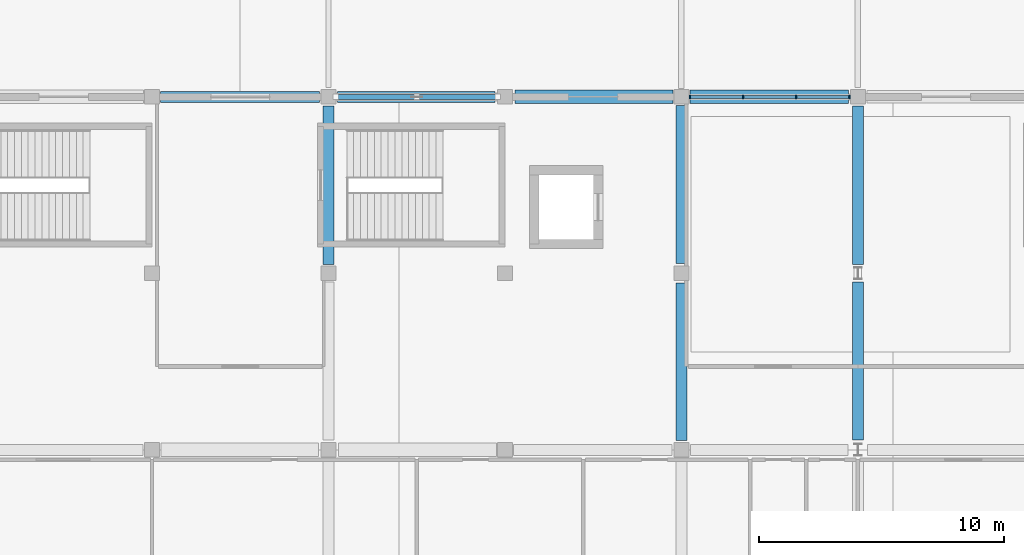
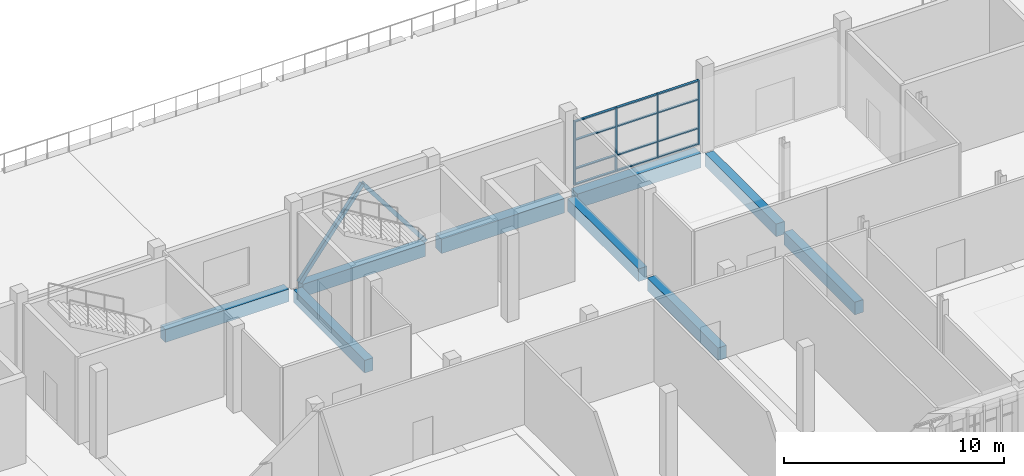
# One storey, part 28 of 82: 18 members, 9 beams, 1 element without a shape of its own.
"""IFC4 building model written with IfcOpenShell, lengths in metres."""

from ifc_helpers import new_model, si_unit, direction, frame, origin, origin_2d, place, context, subcontext, project, spatial, rectangle, hollow_rectangle, extrude, material, material_profile, profile_set, type_object, element, aggregate, save


model = new_model("IFC4")

# Units and contexts
model_context = context("Model", 3, precision=1e-05, world=origin(), true_north=direction((0.0, 1.0)))
body_context = subcontext(model_context, "Body", "Model", "MODEL_VIEW")
ifc_project = project(units=[si_unit("LENGTHUNIT", "METRE"), si_unit("AREAUNIT", "SQUARE_METRE"), si_unit("VOLUMEUNIT", "CUBIC_METRE"), si_unit("PLANEANGLEUNIT", "RADIAN"), si_unit("MASSUNIT", "GRAM", prefix="KILO")], contexts=[model_context])

# Site, building, storey
site_placement = place(None, origin())
site = spatial("IfcSite", under=ifc_project, at=site_placement, CompositionType="ELEMENT")
building_placement = place(site_placement, origin())
building = spatial("IfcBuilding", under=site, at=building_placement, Name="Sardonyx Promenade Sports Hall", CompositionType="ELEMENT")
storey_placement = place(building_placement, frame((0.0, 0.0, 11.199951171875)))
storey = spatial("IfcBuildingStorey", under=building, at=storey_placement, Name="L02", CompositionType="ELEMENT", Elevation=11.199951171875)

# Beams
ifc_material_1 = material(Name="Concrete C40/50", Category="concrete")
ifc_material_profile_1 = material_profile(ifc_material_1, rectangle(XDim=0.550048828125, YDim=0.800048828125, at=origin_2d()))
ifc_profile_set_1 = profile_set([ifc_material_profile_1], Name="Concrete C40/50")
beam_type_1 = type_object("IfcBeamType", Name="Bm_Girder_RC800", PredefinedType="BEAM", material=ifc_profile_set_1)
beam_1_placement = place(storey_placement, frame((79.60009765625, 28.800048828125, -0.39990234375), z_axis=(1.0, 0.0, 0.0), x_axis=(0.0, 1.0, 0.0)))
element("IfcBeam", 1, at=beam_1_placement, inside=storey, type_object=beam_type_1, Name="Beam BG04 L02 #504", PredefinedType="BEAM", context=body_context, shape_type="SweptSolid", body=[
    extrude(rectangle(XDim=0.550048828125, YDim=0.800048828125, at=origin_2d()), origin(), (0.0, 0.0, 1.0), 6.449951171875),
])
beam_2_placement = place(storey_placement, frame((86.75, 28.800048828125, -0.39990234375), z_axis=(1.0, 0.0, 0.0), x_axis=(0.0, 1.0, 0.0)))
element("IfcBeam", 2, at=beam_2_placement, inside=storey, type_object=beam_type_1, Name="Beam BG04 L02 #505", PredefinedType="BEAM", context=body_context, shape_type="SweptSolid", body=[
    extrude(rectangle(XDim=0.550048828125, YDim=0.800048828125, at=origin_2d()), origin(), (0.0, 0.0, 1.0), 6.47509765625),
])
ifc_material_2 = material(Name="Concrete C40/50", Category="concrete")
ifc_material_profile_2 = material_profile(ifc_material_2, rectangle(XDim=0.449951171875, YDim=0.699951171875, at=origin_2d()))
ifc_profile_set_2 = profile_set([ifc_material_profile_2], Name="Concrete C40/50")
beam_type_2 = type_object("IfcBeamType", Name="Bm_Primary_RC700", PredefinedType="BEAM", material=ifc_profile_set_2)
beam_3_placement = place(storey_placement, frame((65.14990234375, 28.800048828125, -0.349853515625), z_axis=(1.0, 0.0, 0.0), x_axis=(0.0, 1.0, 0.0)))
element("IfcBeam", 3, at=beam_3_placement, inside=storey, type_object=beam_type_2, Name="Beam BG01 L02 #502", PredefinedType="BEAM", context=body_context, shape_type="SweptSolid", body=[
    extrude(rectangle(XDim=0.449951171875, YDim=0.699951171875, at=origin_2d()), origin(), (0.0, 0.0, 1.0), 6.47509765625),
])
beam_4_placement = place(storey_placement, frame((72.375, 28.800048828125, -0.349853515625), z_axis=(1.0, 0.0, 0.0), x_axis=(0.0, 1.0, 0.0)))
element("IfcBeam", 4, at=beam_4_placement, inside=storey, type_object=beam_type_2, Name="Beam BG01 L02 #503", PredefinedType="BEAM", context=body_context, shape_type="SweptSolid", body=[
    extrude(rectangle(XDim=0.449951171875, YDim=0.699951171875, at=origin_2d()), origin(), (0.0, 0.0, 1.0), 6.425048828125),
])
beam_5_placement = place(storey_placement, frame((72.0, 21.949951171875, -0.349853515625), z_axis=(0.0, 1.0, 0.0), x_axis=(-1.0, 0.0, 0.0)))
element("IfcBeam", 5, at=beam_5_placement, inside=storey, type_object=beam_type_2, Name="Beam BG01 L02 #614", PredefinedType="BEAM", context=body_context, shape_type="SweptSolid", body=[
    extrude(rectangle(XDim=0.449951171875, YDim=0.699951171875, at=origin_2d()), origin(), (0.0, 0.0, 1.0), 6.47509765625),
])
beam_6_placement = place(storey_placement, frame((86.39990234375, 14.77490234375, -0.349853515625), z_axis=(0.0, 1.0, 0.0), x_axis=(-1.0, 0.0, 0.0)))
element("IfcBeam", 6, at=beam_6_placement, inside=storey, type_object=beam_type_2, Name="Beam BG01 L02 #621", PredefinedType="BEAM", context=body_context, shape_type="SweptSolid", body=[
    extrude(rectangle(XDim=0.449951171875, YDim=0.699951171875, at=origin_2d()), origin(), (0.0, 0.0, 1.0), 6.425048828125),
])
for number, where, z_axis, x_axis, name in (
    (7, (86.39990234375, 22.0, -0.349853515625), (0.0, 1.0, 0.0), (-1.0, 0.0, 0.0), "Beam BG01 L02 #622"),
    (8, (93.60009765625, 14.800048828125, -0.349853515625), (0.0, 1.0, 0.0), (-1.0, 0.0, 0.0), "Beam BG01 L02 #628"),
):
    element("IfcBeam", number, at=place(storey_placement, frame(where, z_axis=z_axis, x_axis=x_axis)), inside=storey, type_object=beam_type_2, Name=name, PredefinedType="BEAM", context=body_context, shape_type="SweptSolid", body=[
        extrude(rectangle(XDim=0.449951171875, YDim=0.699951171875, at=origin_2d()), origin(), (0.0, 0.0, 1.0), 6.449951171875),
    ])
beam_7_placement = place(storey_placement, frame((93.60009765625, 21.949951171875, -0.349853515625), z_axis=(0.0, 1.0, 0.0), x_axis=(-1.0, 0.0, 0.0)))
element("IfcBeam", 9, at=beam_7_placement, inside=storey, type_object=beam_type_2, Name="Beam BG01 L02 #629", PredefinedType="BEAM", context=body_context, shape_type="SweptSolid", body=[
    extrude(rectangle(XDim=0.449951171875, YDim=0.699951171875, at=origin_2d()), origin(), (0.0, 0.0, 1.0), 6.47509765625),
])

# Curtain wall, members
ifc_material_3 = material(Name="Aluminium 6063-T6", Category="aluminium")
curtain_wall_type = type_object("IfcCurtainWallType", Name="CW_EastWing_L02", PredefinedType="USERDEFINED", material=ifc_material_3)
curtain_wall_placement = place(storey_placement, origin())
curtain_wall = element("IfcCurtainWall", 10, at=curtain_wall_placement, inside=storey, type_object=curtain_wall_type, Name="Curtain wall CW09 cw:L02:159", ObjectType="CURTAIN WALL", PredefinedType="USERDEFINED")
ifc_material_4 = material(Name="Aluminium 6063-T6", Category="aluminium")
ifc_material_profile_3 = material_profile(ifc_material_4, rectangle(XDim=0.06005859375, YDim=0.14990234375, at=origin_2d()))
ifc_profile_set_3 = profile_set([ifc_material_profile_3], Name="Aluminium 6063-T6")
member_type_1 = type_object("IfcMemberType", Name="CW_Mull_150", PredefinedType="MULLION", material=ifc_profile_set_3)
member_1_placement = place(storey_placement, frame((86.75, 28.800048828125, 0.35009765625), z_axis=(0.0, 0.0, 1.0), x_axis=(1.0, 0.0, 0.0)))
member_1 = element("IfcMember", 11, at=member_1_placement, type_object=member_type_1, Name="Mullion CM01 cw:L02:159 #1", PredefinedType="MULLION", context=body_context, shape_type="SweptSolid", body=[
    extrude(rectangle(XDim=0.06005859375, YDim=0.14990234375, at=origin_2d()), origin(), (0.0, 0.0, 1.0), 3.550048828125),
])
member_2_placement = place(storey_placement, frame((88.916748046875, 28.800048828125, 0.35009765625), z_axis=(0.0, 0.0, 1.0), x_axis=(1.0, 0.0, 0.0)))
member_2 = element("IfcMember", 12, at=member_2_placement, type_object=member_type_1, Name="Mullion CM01 cw:L02:159 #2", PredefinedType="MULLION", context=body_context, shape_type="SweptSolid", body=[
    extrude(rectangle(XDim=0.06005859375, YDim=0.14990234375, at=origin_2d()), origin(), (0.0, 0.0, 1.0), 3.550048828125),
])
member_3_placement = place(storey_placement, frame((91.083251953125, 28.800048828125, 0.35009765625), z_axis=(0.0, 0.0, 1.0), x_axis=(1.0, 0.0, 0.0)))
member_3 = element("IfcMember", 13, at=member_3_placement, type_object=member_type_1, Name="Mullion CM01 cw:L02:159 #3", PredefinedType="MULLION", context=body_context, shape_type="SweptSolid", body=[
    extrude(rectangle(XDim=0.06005859375, YDim=0.14990234375, at=origin_2d()), origin(), (0.0, 0.0, 1.0), 3.550048828125),
])
member_4_placement = place(storey_placement, frame((93.25, 28.800048828125, 0.35009765625), z_axis=(0.0, 0.0, 1.0), x_axis=(1.0, 0.0, 0.0)))
member_4 = element("IfcMember", 14, at=member_4_placement, type_object=member_type_1, Name="Mullion CM01 cw:L02:159 #4", PredefinedType="MULLION", context=body_context, shape_type="SweptSolid", body=[
    extrude(rectangle(XDim=0.06005859375, YDim=0.14990234375, at=origin_2d()), origin(), (0.0, 0.0, 1.0), 3.550048828125),
])
ifc_material_5 = material(Name="Aluminium 6063-T6", Category="aluminium")
ifc_material_profile_4 = material_profile(ifc_material_5, rectangle(XDim=0.06005859375, YDim=0.1201171875, at=origin_2d()))
ifc_profile_set_4 = profile_set([ifc_material_profile_4], Name="Aluminium 6063-T6")
member_type_2 = type_object("IfcMemberType", Name="CW_Tran_120", PredefinedType="USERDEFINED", material=ifc_profile_set_4)
member_5_placement = place(storey_placement, frame((86.780029296875, 28.800048828125, 0.380126953125), z_axis=(1.0, 0.0, 0.0), x_axis=(0.0, 0.0, 1.0)))
member_5 = element("IfcMember", 15, at=member_5_placement, type_object=member_type_2, Name="Transom CT01 cw:L02:159 #1", ObjectType="TRANSOM", PredefinedType="USERDEFINED", context=body_context, shape_type="SweptSolid", body=[
    extrude(rectangle(XDim=0.06005859375, YDim=0.1201171875, at=origin_2d()), origin(), (0.0, 0.0, 1.0), 2.106689453125),
])
member_6_placement = place(storey_placement, frame((86.780029296875, 28.800048828125, 1.25), z_axis=(1.0, 0.0, 0.0), x_axis=(0.0, 0.0, 1.0)))
member_6 = element("IfcMember", 16, at=member_6_placement, type_object=member_type_2, Name="Transom CT01 cw:L02:159 #2", ObjectType="TRANSOM", PredefinedType="USERDEFINED", context=body_context, shape_type="SweptSolid", body=[
    extrude(rectangle(XDim=0.06005859375, YDim=0.1201171875, at=origin_2d()), origin(), (0.0, 0.0, 1.0), 2.106689453125),
])
member_7_placement = place(storey_placement, frame((86.780029296875, 28.800048828125, 2.85009765625), z_axis=(1.0, 0.0, 0.0), x_axis=(0.0, 0.0, 1.0)))
member_7 = element("IfcMember", 17, at=member_7_placement, type_object=member_type_2, Name="Transom CT01 cw:L02:159 #3", ObjectType="TRANSOM", PredefinedType="USERDEFINED", context=body_context, shape_type="SweptSolid", body=[
    extrude(rectangle(XDim=0.06005859375, YDim=0.1201171875, at=origin_2d()), origin(), (0.0, 0.0, 1.0), 2.106689453125),
])
member_8_placement = place(storey_placement, frame((86.780029296875, 28.800048828125, 3.8701171875), z_axis=(1.0, 0.0, 0.0), x_axis=(0.0, 0.0, 1.0)))
member_8 = element("IfcMember", 18, at=member_8_placement, type_object=member_type_2, Name="Transom CT01 cw:L02:159 #4", ObjectType="TRANSOM", PredefinedType="USERDEFINED", context=body_context, shape_type="SweptSolid", body=[
    extrude(rectangle(XDim=0.06005859375, YDim=0.1201171875, at=origin_2d()), origin(), (0.0, 0.0, 1.0), 2.106689453125),
])
member_9_placement = place(storey_placement, frame((88.94677734375, 28.800048828125, 0.380126953125), z_axis=(1.0, 0.0, 0.0), x_axis=(0.0, 0.0, 1.0)))
member_9 = element("IfcMember", 19, at=member_9_placement, type_object=member_type_2, Name="Transom CT01 cw:L02:159 #5", ObjectType="TRANSOM", PredefinedType="USERDEFINED", context=body_context, shape_type="SweptSolid", body=[
    extrude(rectangle(XDim=0.06005859375, YDim=0.1201171875, at=origin_2d()), origin(), (0.0, 0.0, 1.0), 2.1064453125),
])
member_10_placement = place(storey_placement, frame((88.94677734375, 28.800048828125, 1.25), z_axis=(1.0, 0.0, 0.0), x_axis=(0.0, 0.0, 1.0)))
member_10 = element("IfcMember", 20, at=member_10_placement, type_object=member_type_2, Name="Transom CT01 cw:L02:159 #6", ObjectType="TRANSOM", PredefinedType="USERDEFINED", context=body_context, shape_type="SweptSolid", body=[
    extrude(rectangle(XDim=0.06005859375, YDim=0.1201171875, at=origin_2d()), origin(), (0.0, 0.0, 1.0), 2.1064453125),
])
member_11_placement = place(storey_placement, frame((88.94677734375, 28.800048828125, 2.85009765625), z_axis=(1.0, 0.0, 0.0), x_axis=(0.0, 0.0, 1.0)))
member_11 = element("IfcMember", 21, at=member_11_placement, type_object=member_type_2, Name="Transom CT01 cw:L02:159 #7", ObjectType="TRANSOM", PredefinedType="USERDEFINED", context=body_context, shape_type="SweptSolid", body=[
    extrude(rectangle(XDim=0.06005859375, YDim=0.1201171875, at=origin_2d()), origin(), (0.0, 0.0, 1.0), 2.1064453125),
])
member_12_placement = place(storey_placement, frame((88.94677734375, 28.800048828125, 3.8701171875), z_axis=(1.0, 0.0, 0.0), x_axis=(0.0, 0.0, 1.0)))
member_12 = element("IfcMember", 22, at=member_12_placement, type_object=member_type_2, Name="Transom CT01 cw:L02:159 #8", ObjectType="TRANSOM", PredefinedType="USERDEFINED", context=body_context, shape_type="SweptSolid", body=[
    extrude(rectangle(XDim=0.06005859375, YDim=0.1201171875, at=origin_2d()), origin(), (0.0, 0.0, 1.0), 2.1064453125),
])
member_13_placement = place(storey_placement, frame((91.11328125, 28.800048828125, 0.380126953125), z_axis=(1.0, 0.0, 0.0), x_axis=(0.0, 0.0, 1.0)))
member_13 = element("IfcMember", 23, at=member_13_placement, type_object=member_type_2, Name="Transom CT01 cw:L02:159 #9", ObjectType="TRANSOM", PredefinedType="USERDEFINED", context=body_context, shape_type="SweptSolid", body=[
    extrude(rectangle(XDim=0.06005859375, YDim=0.1201171875, at=origin_2d()), origin(), (0.0, 0.0, 1.0), 2.106689453125),
])
member_14_placement = place(storey_placement, frame((91.11328125, 28.800048828125, 1.25), z_axis=(1.0, 0.0, 0.0), x_axis=(0.0, 0.0, 1.0)))
member_14 = element("IfcMember", 24, at=member_14_placement, type_object=member_type_2, Name="Transom CT01 cw:L02:159 #10", ObjectType="TRANSOM", PredefinedType="USERDEFINED", context=body_context, shape_type="SweptSolid", body=[
    extrude(rectangle(XDim=0.06005859375, YDim=0.1201171875, at=origin_2d()), origin(), (0.0, 0.0, 1.0), 2.106689453125),
])
member_15_placement = place(storey_placement, frame((91.11328125, 28.800048828125, 2.85009765625), z_axis=(1.0, 0.0, 0.0), x_axis=(0.0, 0.0, 1.0)))
member_15 = element("IfcMember", 25, at=member_15_placement, type_object=member_type_2, Name="Transom CT01 cw:L02:159 #11", ObjectType="TRANSOM", PredefinedType="USERDEFINED", context=body_context, shape_type="SweptSolid", body=[
    extrude(rectangle(XDim=0.06005859375, YDim=0.1201171875, at=origin_2d()), origin(), (0.0, 0.0, 1.0), 2.106689453125),
])
member_16_placement = place(storey_placement, frame((91.11328125, 28.800048828125, 3.8701171875), z_axis=(1.0, 0.0, 0.0), x_axis=(0.0, 0.0, 1.0)))
member_16 = element("IfcMember", 26, at=member_16_placement, type_object=member_type_2, Name="Transom CT01 cw:L02:159 #12", ObjectType="TRANSOM", PredefinedType="USERDEFINED", context=body_context, shape_type="SweptSolid", body=[
    extrude(rectangle(XDim=0.06005859375, YDim=0.1201171875, at=origin_2d()), origin(), (0.0, 0.0, 1.0), 2.106689453125),
])
aggregate(curtain_wall, [member_1, member_2, member_3, member_4, member_5, member_6, member_7, member_8, member_9, member_10, member_11, member_12, member_13, member_14, member_15, member_16])

# Members
ifc_material_6 = material(Name="Steel S355JR", Category="steel")
ifc_material_profile_5 = material_profile(ifc_material_6, hollow_rectangle(XDim=0.199951171875, YDim=0.199951171875, WallThickness=0.010009765625, at=origin_2d()))
ifc_profile_set_5 = profile_set([ifc_material_profile_5], Name="Steel S355JR")
member_type_3 = type_object("IfcMemberType", Name="Mbr_Brace_SHS200_Int", PredefinedType="BRACE", material=ifc_profile_set_5)
member_17_placement = place(storey_placement, frame((72.300048828125, 28.800048828125, 0.02001953125), z_axis=(0.606152648807, 0.0, 0.795348330195), x_axis=(0.0, 1.0, 0.0)))
element("IfcMember", 27, at=member_17_placement, inside=storey, type_object=member_type_3, Name="Chevron brace BR04 BF6 L02 leg 1", PredefinedType="BRACE", context=body_context, shape_type="SweptSolid", body=[
    extrude(hollow_rectangle(XDim=0.199951171875, YDim=0.199951171875, WallThickness=0.010009765625, at=origin_2d()), origin(), (0.0, 0.0, 1.0), 5.4443359375),
])
member_18_placement = place(storey_placement, frame((78.89990234375, 28.800048828125, 0.02001953125), z_axis=(-0.606124280453, 0.0, 0.795369949549), x_axis=(0.0, -1.0, 0.0)))
element("IfcMember", 28, at=member_18_placement, inside=storey, type_object=member_type_3, Name="Chevron brace BR04 BF6 L02 leg 2", PredefinedType="BRACE", context=body_context, shape_type="SweptSolid", body=[
    extrude(hollow_rectangle(XDim=0.199951171875, YDim=0.199951171875, WallThickness=0.010009765625, at=origin_2d()), origin(), (0.0, 0.0, 1.0), 5.444091796875),
])

save(model, "model.ifc")
